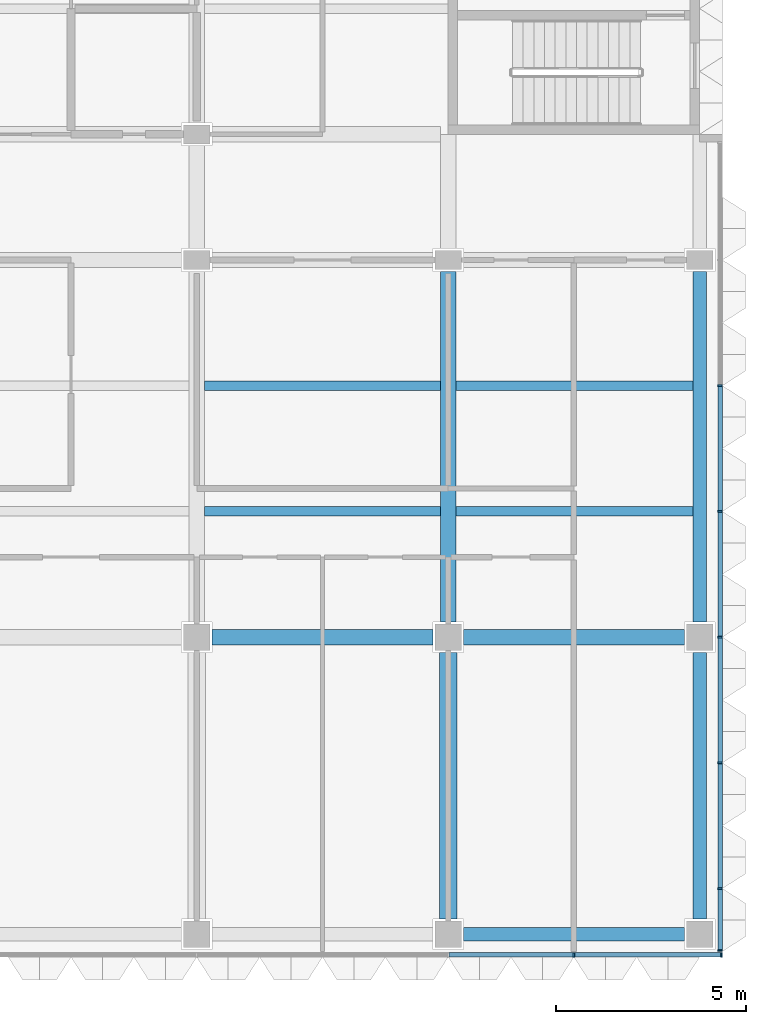
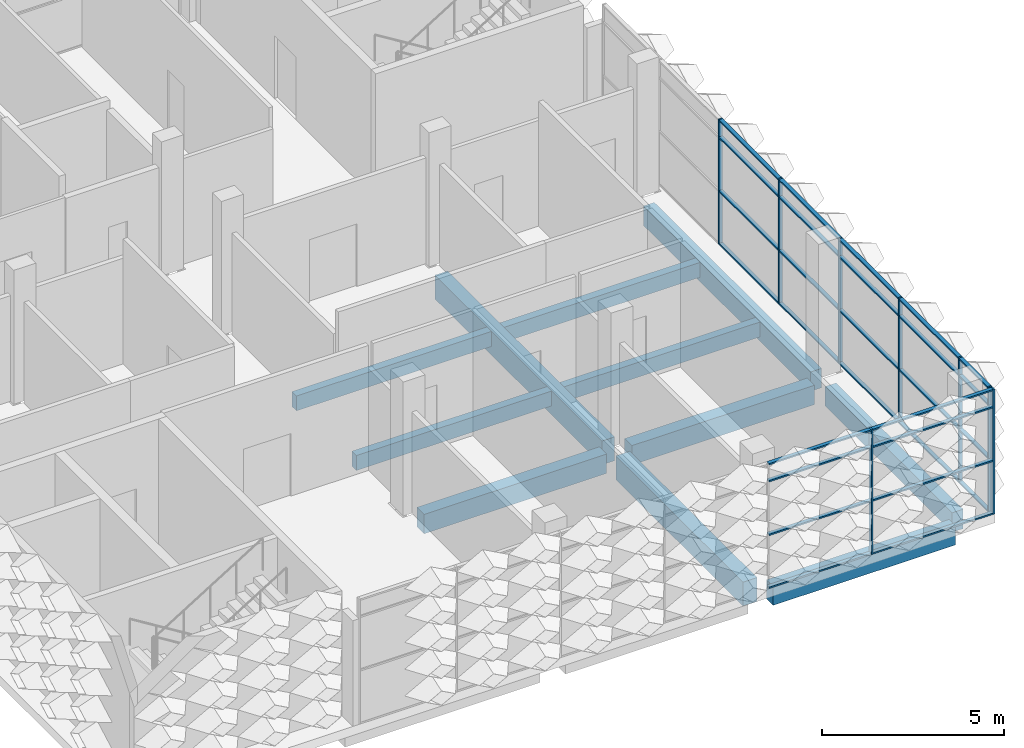
# One storey, part 3 of 29: 36 members, 11 beams, 2 elements without a shape of their own.
"""IFC4 building model written with IfcOpenShell, lengths in metres."""

from ifc_helpers import new_model, si_unit, direction, frame, origin, origin_2d, place, context, subcontext, project, spatial, rectangle, extrude, material, material_profile, profile_set, type_object, element, aggregate, save


model = new_model("IFC4")

# Units and contexts
model_context = context("Model", 3, precision=1e-05, world=origin(), true_north=direction((0.0, 1.0)))
body_context = subcontext(model_context, "Body", "Model", "MODEL_VIEW")
ifc_project = project(units=[si_unit("LENGTHUNIT", "METRE"), si_unit("AREAUNIT", "SQUARE_METRE"), si_unit("VOLUMEUNIT", "CUBIC_METRE"), si_unit("PLANEANGLEUNIT", "RADIAN"), si_unit("MASSUNIT", "GRAM", prefix="KILO")], contexts=[model_context])

# Site, building, storey
site_placement = place(None, origin())
site = spatial("IfcSite", under=ifc_project, at=site_placement, CompositionType="ELEMENT")
building_placement = place(site_placement, origin())
building = spatial("IfcBuilding", under=site, at=building_placement, Name="Lantern Court Research Institute", CompositionType="ELEMENT")
storey_placement = place(building_placement, frame((0.0, 0.0, 32.39990234375)))
storey = spatial("IfcBuildingStorey", under=building, at=storey_placement, Name="L07", CompositionType="ELEMENT", Elevation=32.39990234375)

# Curtain wall, members
ifc_material_1 = material(Name="Aluminium alloy 6063-T6", Category="aluminium")
curtain_wall_type_1 = type_object("IfcCurtainWallType", Name="Curtain wall 21250 x 4200 x 120 aluminium frame", PredefinedType="NOTDEFINED", material=ifc_material_1)
curtain_wall_1_placement = place(storey_placement, origin())
curtain_wall_1 = element("IfcCurtainWall", 1, at=curtain_wall_1_placement, inside=storey, type_object=curtain_wall_type_1, Name="Curtain wall CW081", PredefinedType="NOTDEFINED")
ifc_material_2 = material(Name="Aluminium alloy 6063-T6", Category="aluminium")
ifc_material_profile_1 = material_profile(ifc_material_2, rectangle(XDim=0.1201171875, YDim=0.050048828125, at=origin_2d()), Name="Mullion 120 x 50")
ifc_profile_set_1 = profile_set([ifc_material_profile_1], Name="Aluminium alloy 6063-T6")
member_type_1 = type_object("IfcMemberType", Name="Mullion 120 x 50 aluminium", PredefinedType="MULLION", material=ifc_profile_set_1)
member_1_placement = place(storey_placement, frame((79.739990234375, -8.22509765625, 0.0), z_axis=(0.0, 0.0, 1.0), x_axis=(1.0, 0.0, 0.0)))
member_1 = element("IfcMember", 2, at=member_1_placement, type_object=member_type_1, Name="CW081 mullion 1", PredefinedType="MULLION", context=body_context, shape_type="SweptSolid", body=[
    extrude(rectangle(XDim=0.1201171875, YDim=0.050048828125, at=origin_2d()), origin(), (0.0, 0.0, 1.0), 4.2001953125),
])
member_2_placement = place(storey_placement, frame((79.739990234375, -6.60009765625, 0.0), z_axis=(0.0, 0.0, 1.0), x_axis=(1.0, 0.0, 0.0)))
member_2 = element("IfcMember", 3, at=member_2_placement, type_object=member_type_1, Name="CW081 mullion 2", PredefinedType="MULLION", context=body_context, shape_type="SweptSolid", body=[
    extrude(rectangle(XDim=0.1201171875, YDim=0.050048828125, at=origin_2d()), origin(), (0.0, 0.0, 1.0), 4.2001953125),
])
member_3_placement = place(storey_placement, frame((79.739990234375, -3.300048828125, 0.0), z_axis=(0.0, 0.0, 1.0), x_axis=(1.0, 0.0, 0.0)))
member_3 = element("IfcMember", 4, at=member_3_placement, type_object=member_type_1, Name="CW081 mullion 3", PredefinedType="MULLION", context=body_context, shape_type="SweptSolid", body=[
    extrude(rectangle(XDim=0.1201171875, YDim=0.050048828125, at=origin_2d()), origin(), (0.0, 0.0, 1.0), 4.2001953125),
])
member_4_placement = place(storey_placement, frame((79.739990234375, 0.0, 0.0), z_axis=(0.0, 0.0, 1.0), x_axis=(1.0, 0.0, 0.0)))
member_4 = element("IfcMember", 5, at=member_4_placement, type_object=member_type_1, Name="CW081 mullion 4", PredefinedType="MULLION", context=body_context, shape_type="SweptSolid", body=[
    extrude(rectangle(XDim=0.1201171875, YDim=0.050048828125, at=origin_2d()), origin(), (0.0, 0.0, 1.0), 4.2001953125),
])
member_5_placement = place(storey_placement, frame((79.739990234375, 3.300048828125, 0.0), z_axis=(0.0, 0.0, 1.0), x_axis=(1.0, 0.0, 0.0)))
member_5 = element("IfcMember", 6, at=member_5_placement, type_object=member_type_1, Name="CW081 mullion 5", PredefinedType="MULLION", context=body_context, shape_type="SweptSolid", body=[
    extrude(rectangle(XDim=0.1201171875, YDim=0.050048828125, at=origin_2d()), origin(), (0.0, 0.0, 1.0), 4.2001953125),
])
member_6_placement = place(storey_placement, frame((79.739990234375, 6.60009765625, 0.0), z_axis=(0.0, 0.0, 1.0), x_axis=(1.0, 0.0, 0.0)))
member_6 = element("IfcMember", 7, at=member_6_placement, type_object=member_type_1, Name="CW081 mullion 6", PredefinedType="MULLION", context=body_context, shape_type="SweptSolid", body=[
    extrude(rectangle(XDim=0.1201171875, YDim=0.050048828125, at=origin_2d()), origin(), (0.0, 0.0, 1.0), 4.2001953125),
])

ifc_material_3 = material(Name="Aluminium alloy 6063-T6", Category="aluminium")
curtain_wall_type_2 = type_object("IfcCurtainWallType", Name="Curtain wall 20200 x 4200 x 120 aluminium frame", PredefinedType="NOTDEFINED", material=ifc_material_3)
curtain_wall_2_placement = place(storey_placement, origin())
curtain_wall_2 = element("IfcCurtainWall", 8, at=curtain_wall_2_placement, inside=storey, type_object=curtain_wall_type_2, Name="Curtain wall CW083", PredefinedType="NOTDEFINED")
member_7_placement = place(storey_placement, frame((75.89990234375, -8.340087890625, 0.0), z_axis=(0.0, 0.0, 1.0), x_axis=(0.0, -1.0, 0.0)))
member_7 = element("IfcMember", 9, at=member_7_placement, type_object=member_type_1, Name="CW083 mullion 6", PredefinedType="MULLION", context=body_context, shape_type="SweptSolid", body=[
    extrude(rectangle(XDim=0.1201171875, YDim=0.050048828125, at=origin_2d()), origin(), (0.0, 0.0, 1.0), 4.2001953125),
])
member_8_placement = place(storey_placement, frame((79.77490234375, -8.340087890625, 0.0), z_axis=(0.0, 0.0, 1.0), x_axis=(0.0, -1.0, 0.0)))
member_8 = element("IfcMember", 10, at=member_8_placement, type_object=member_type_1, Name="CW083 mullion 7", PredefinedType="MULLION", context=body_context, shape_type="SweptSolid", body=[
    extrude(rectangle(XDim=0.1201171875, YDim=0.050048828125, at=origin_2d()), origin(), (0.0, 0.0, 1.0), 4.2001953125),
])

# Beams
ifc_material_4 = material(Name="Concrete C40/50", Category="concrete")
ifc_material_profile_2 = material_profile(ifc_material_4, rectangle(XDim=0.39990234375, YDim=0.64990234375, at=origin_2d()), Name="RC beam 400 x 650")
ifc_profile_set_2 = profile_set([ifc_material_profile_2], Name="Concrete C40/50")
beam_type_1 = type_object("IfcBeamType", Name="RC beam 400 x 650", PredefinedType="BEAM", material=ifc_profile_set_2)
for number, where, z_axis, x_axis, name in (
    (11, (66.39990234375, 0.0, -0.625), (1.0, 0.0, 0.0), (0.0, 1.0, 0.0), "Beam L07 grid A/11-12"),
    (12, (73.0, 0.0, -0.625), (1.0, 0.0, 0.0), (0.0, 1.0, 0.0), "Beam L07 grid A/12-13"),
):
    element("IfcBeam", number, at=place(storey_placement, frame(where, z_axis=z_axis, x_axis=x_axis)), inside=storey, type_object=beam_type_1, Name=name, PredefinedType="BEAM", context=body_context, shape_type="SweptSolid", body=[
        extrude(rectangle(XDim=0.39990234375, YDim=0.64990234375, at=origin_2d()), origin(), (0.0, 0.0, 1.0), 5.800048828125),
    ])
ifc_material_5 = material(Name="Concrete C40/50", Category="concrete")
ifc_material_profile_3 = material_profile(ifc_material_5, rectangle(XDim=0.35009765625, YDim=0.64990234375, at=origin_2d()), Name="RC beam 350 x 650")
ifc_profile_set_3 = profile_set([ifc_material_profile_3], Name="Concrete C40/50")
beam_type_2 = type_object("IfcBeamType", Name="RC edge beam 350 x 650", PredefinedType="BEAM", material=ifc_profile_set_3)
beam_1_placement = place(storey_placement, frame((79.199951171875, -7.39990234375, -0.625), z_axis=(0.0, 1.0, 0.0), x_axis=(-1.0, 0.0, 0.0)))
element("IfcBeam", 13, at=beam_1_placement, inside=storey, type_object=beam_type_2, Name="Edge beam L07 grid 13/Z-A", PredefinedType="BEAM", context=body_context, shape_type="SweptSolid", body=[
    extrude(rectangle(XDim=0.35009765625, YDim=0.64990234375, at=origin_2d()), origin(), (0.0, 0.0, 1.0), 7.0),
])
beam_2_placement = place(storey_placement, frame((79.199951171875, 0.39990234375, -0.625), z_axis=(0.0, 1.0, 0.0), x_axis=(-1.0, 0.0, 0.0)))
element("IfcBeam", 14, at=beam_2_placement, inside=storey, type_object=beam_type_2, Name="Edge beam L07 grid 13/A-B", PredefinedType="BEAM", context=body_context, shape_type="SweptSolid", body=[
    extrude(rectangle(XDim=0.35009765625, YDim=0.64990234375, at=origin_2d()), origin(), (0.0, 0.0, 1.0), 9.2001953125),
])
beam_3_placement = place(storey_placement, frame((73.0, -7.800048828125, -0.625), z_axis=(1.0, 0.0, 0.0), x_axis=(0.0, 1.0, 0.0)))
element("IfcBeam", 15, at=beam_3_placement, inside=storey, type_object=beam_type_2, Name="Edge beam L07 grid Z/12-13", PredefinedType="BEAM", context=body_context, shape_type="SweptSolid", body=[
    extrude(rectangle(XDim=0.35009765625, YDim=0.64990234375, at=origin_2d()), origin(), (0.0, 0.0, 1.0), 5.800048828125),
])
ifc_material_6 = material(Name="Concrete C40/50", Category="concrete")
ifc_material_profile_4 = material_profile(ifc_material_6, rectangle(XDim=0.39990234375, YDim=0.800048828125, at=origin_2d()), Name="RC beam 400 x 800")
ifc_profile_set_4 = profile_set([ifc_material_profile_4], Name="Concrete C40/50")
beam_type_3 = type_object("IfcBeamType", Name="RC girder 400 x 800", PredefinedType="BEAM", material=ifc_profile_set_4)
beam_4_placement = place(storey_placement, frame((72.60009765625, 0.39990234375, -0.699951171875), z_axis=(0.0, 1.0, 0.0), x_axis=(-1.0, 0.0, 0.0)))
element("IfcBeam", 16, at=beam_4_placement, inside=storey, type_object=beam_type_3, Name="Girder L07 grid 12/A-B", PredefinedType="BEAM", context=body_context, shape_type="SweptSolid", body=[
    extrude(rectangle(XDim=0.39990234375, YDim=0.800048828125, at=origin_2d()), origin(), (0.0, 0.0, 1.0), 9.2001953125),
])
ifc_material_7 = material(Name="Concrete C40/50", Category="concrete")
ifc_material_profile_5 = material_profile(ifc_material_7, rectangle(XDim=0.449951171875, YDim=0.800048828125, at=origin_2d()), Name="RC beam 450 x 800")
ifc_profile_set_5 = profile_set([ifc_material_profile_5], Name="Concrete C40/50")
beam_type_4 = type_object("IfcBeamType", Name="RC girder 450 x 800", PredefinedType="BEAM", material=ifc_profile_set_5)
beam_5_placement = place(storey_placement, frame((72.60009765625, -7.39990234375, -0.699951171875), z_axis=(0.0, 1.0, 0.0), x_axis=(-1.0, 0.0, 0.0)))
element("IfcBeam", 17, at=beam_5_placement, inside=storey, type_object=beam_type_4, Name="Girder L07 grid 12/Z-A", PredefinedType="BEAM", context=body_context, shape_type="SweptSolid", body=[
    extrude(rectangle(XDim=0.449951171875, YDim=0.800048828125, at=origin_2d()), origin(), (0.0, 0.0, 1.0), 7.0),
])
ifc_material_8 = material(Name="Concrete C40/50", Category="concrete")
ifc_material_profile_6 = material_profile(ifc_material_8, rectangle(XDim=0.25, YDim=0.5, at=origin_2d()), Name="RC beam 250 x 500")
ifc_profile_set_6 = profile_set([ifc_material_profile_6], Name="Concrete C40/50")
beam_type_5 = type_object("IfcBeamType", Name="RC secondary beam 250 x 500", PredefinedType="BEAM", material=ifc_profile_set_6)
beam_6_placement = place(storey_placement, frame((66.199951171875, 3.300048828125, -0.5498046875), z_axis=(1.0, 0.0, 0.0), x_axis=(0.0, 1.0, 0.0)))
element("IfcBeam", 18, at=beam_6_placement, inside=storey, type_object=beam_type_5, Name="Secondary beam L07 grids 11-12 / A-B, line 1", PredefinedType="BEAM", context=body_context, shape_type="SweptSolid", body=[
    extrude(rectangle(XDim=0.25, YDim=0.5, at=origin_2d()), origin(), (0.0, 0.0, 1.0), 6.199951171875),
])
beam_7_placement = place(storey_placement, frame((72.800048828125, 3.300048828125, -0.5498046875), z_axis=(1.0, 0.0, 0.0), x_axis=(0.0, 1.0, 0.0)))
element("IfcBeam", 19, at=beam_7_placement, inside=storey, type_object=beam_type_5, Name="Secondary beam L07 grids 12-13 / A-B, line 1", PredefinedType="BEAM", context=body_context, shape_type="SweptSolid", body=[
    extrude(rectangle(XDim=0.25, YDim=0.5, at=origin_2d()), origin(), (0.0, 0.0, 1.0), 6.224853515625),
])
beam_8_placement = place(storey_placement, frame((66.199951171875, 6.60009765625, -0.5498046875), z_axis=(1.0, 0.0, 0.0), x_axis=(0.0, 1.0, 0.0)))
element("IfcBeam", 20, at=beam_8_placement, inside=storey, type_object=beam_type_5, Name="Secondary beam L07 grids 11-12 / A-B, line 2", PredefinedType="BEAM", context=body_context, shape_type="SweptSolid", body=[
    extrude(rectangle(XDim=0.25, YDim=0.5, at=origin_2d()), origin(), (0.0, 0.0, 1.0), 6.199951171875),
])
beam_9_placement = place(storey_placement, frame((72.800048828125, 6.60009765625, -0.5498046875), z_axis=(1.0, 0.0, 0.0), x_axis=(0.0, 1.0, 0.0)))
element("IfcBeam", 21, at=beam_9_placement, inside=storey, type_object=beam_type_5, Name="Secondary beam L07 grids 12-13 / A-B, line 2", PredefinedType="BEAM", context=body_context, shape_type="SweptSolid", body=[
    extrude(rectangle(XDim=0.25, YDim=0.5, at=origin_2d()), origin(), (0.0, 0.0, 1.0), 6.224853515625),
])

# Member
ifc_material_9 = material(Name="Aluminium alloy 6063-T6", Category="aluminium")
ifc_material_profile_7 = material_profile(ifc_material_9, rectangle(XDim=0.1201171875, YDim=0.050048828125, at=origin_2d()), Name="Transom 120 x 50")
ifc_profile_set_7 = profile_set([ifc_material_profile_7], Name="Aluminium alloy 6063-T6")
member_type_2 = type_object("IfcMemberType", Name="Transom 120 x 50 aluminium", PredefinedType="USERDEFINED", material=ifc_profile_set_7)
member_9_placement = place(storey_placement, frame((79.739990234375, -6.625, 0.025146484375), z_axis=(0.0, -1.0, 0.0), x_axis=(1.0, 0.0, 0.0)))
member_9 = element("IfcMember", 22, at=member_9_placement, type_object=member_type_2, Name="CW081 transom 1.1", ObjectType="TRANSOM", PredefinedType="USERDEFINED", context=body_context, shape_type="SweptSolid", body=[
    extrude(rectangle(XDim=0.1201171875, YDim=0.050048828125, at=origin_2d()), origin(), (0.0, 0.0, 1.0), 1.574951171875),
])

member_10_placement = place(storey_placement, frame((79.739990234375, -6.625, 1.800048828125), z_axis=(0.0, -1.0, 0.0), x_axis=(1.0, 0.0, 0.0)))
member_10 = element("IfcMember", 23, at=member_10_placement, type_object=member_type_2, Name="CW081 transom 1.2", ObjectType="TRANSOM", PredefinedType="USERDEFINED", context=body_context, shape_type="SweptSolid", body=[
    extrude(rectangle(XDim=0.1201171875, YDim=0.050048828125, at=origin_2d()), origin(), (0.0, 0.0, 1.0), 1.574951171875),
])

member_11_placement = place(storey_placement, frame((79.739990234375, -6.625, 3.60009765625), z_axis=(0.0, -1.0, 0.0), x_axis=(1.0, 0.0, 0.0)))
member_11 = element("IfcMember", 24, at=member_11_placement, type_object=member_type_2, Name="CW081 transom 1.3", ObjectType="TRANSOM", PredefinedType="USERDEFINED", context=body_context, shape_type="SweptSolid", body=[
    extrude(rectangle(XDim=0.1201171875, YDim=0.050048828125, at=origin_2d()), origin(), (0.0, 0.0, 1.0), 1.574951171875),
])

member_12_placement = place(storey_placement, frame((79.739990234375, -6.625, 4.175048828125), z_axis=(0.0, -1.0, 0.0), x_axis=(1.0, 0.0, 0.0)))
member_12 = element("IfcMember", 25, at=member_12_placement, type_object=member_type_2, Name="CW081 transom 1.4", ObjectType="TRANSOM", PredefinedType="USERDEFINED", context=body_context, shape_type="SweptSolid", body=[
    extrude(rectangle(XDim=0.1201171875, YDim=0.050048828125, at=origin_2d()), origin(), (0.0, 0.0, 1.0), 1.574951171875),
])

member_13_placement = place(storey_placement, frame((79.739990234375, -3.324951171875, 0.025146484375), z_axis=(0.0, -1.0, 0.0), x_axis=(1.0, 0.0, 0.0)))
member_13 = element("IfcMember", 26, at=member_13_placement, type_object=member_type_2, Name="CW081 transom 2.1", ObjectType="TRANSOM", PredefinedType="USERDEFINED", context=body_context, shape_type="SweptSolid", body=[
    extrude(rectangle(XDim=0.1201171875, YDim=0.050048828125, at=origin_2d()), origin(), (0.0, 0.0, 1.0), 3.25),
])

member_14_placement = place(storey_placement, frame((79.739990234375, -3.324951171875, 1.800048828125), z_axis=(0.0, -1.0, 0.0), x_axis=(1.0, 0.0, 0.0)))
member_14 = element("IfcMember", 27, at=member_14_placement, type_object=member_type_2, Name="CW081 transom 2.2", ObjectType="TRANSOM", PredefinedType="USERDEFINED", context=body_context, shape_type="SweptSolid", body=[
    extrude(rectangle(XDim=0.1201171875, YDim=0.050048828125, at=origin_2d()), origin(), (0.0, 0.0, 1.0), 3.25),
])

member_15_placement = place(storey_placement, frame((79.739990234375, -3.324951171875, 3.60009765625), z_axis=(0.0, -1.0, 0.0), x_axis=(1.0, 0.0, 0.0)))
member_15 = element("IfcMember", 28, at=member_15_placement, type_object=member_type_2, Name="CW081 transom 2.3", ObjectType="TRANSOM", PredefinedType="USERDEFINED", context=body_context, shape_type="SweptSolid", body=[
    extrude(rectangle(XDim=0.1201171875, YDim=0.050048828125, at=origin_2d()), origin(), (0.0, 0.0, 1.0), 3.25),
])

member_16_placement = place(storey_placement, frame((79.739990234375, -3.324951171875, 4.175048828125), z_axis=(0.0, -1.0, 0.0), x_axis=(1.0, 0.0, 0.0)))
member_16 = element("IfcMember", 29, at=member_16_placement, type_object=member_type_2, Name="CW081 transom 2.4", ObjectType="TRANSOM", PredefinedType="USERDEFINED", context=body_context, shape_type="SweptSolid", body=[
    extrude(rectangle(XDim=0.1201171875, YDim=0.050048828125, at=origin_2d()), origin(), (0.0, 0.0, 1.0), 3.25),
])

member_17_placement = place(storey_placement, frame((79.739990234375, -0.02490234375, 0.025146484375), z_axis=(0.0, -1.0, 0.0), x_axis=(1.0, 0.0, 0.0)))
member_17 = element("IfcMember", 30, at=member_17_placement, type_object=member_type_2, Name="CW081 transom 3.1", ObjectType="TRANSOM", PredefinedType="USERDEFINED", context=body_context, shape_type="SweptSolid", body=[
    extrude(rectangle(XDim=0.1201171875, YDim=0.050048828125, at=origin_2d()), origin(), (0.0, 0.0, 1.0), 3.25),
])

member_18_placement = place(storey_placement, frame((79.739990234375, -0.02490234375, 1.800048828125), z_axis=(0.0, -1.0, 0.0), x_axis=(1.0, 0.0, 0.0)))
member_18 = element("IfcMember", 31, at=member_18_placement, type_object=member_type_2, Name="CW081 transom 3.2", ObjectType="TRANSOM", PredefinedType="USERDEFINED", context=body_context, shape_type="SweptSolid", body=[
    extrude(rectangle(XDim=0.1201171875, YDim=0.050048828125, at=origin_2d()), origin(), (0.0, 0.0, 1.0), 3.25),
])

member_19_placement = place(storey_placement, frame((79.739990234375, -0.02490234375, 3.60009765625), z_axis=(0.0, -1.0, 0.0), x_axis=(1.0, 0.0, 0.0)))
member_19 = element("IfcMember", 32, at=member_19_placement, type_object=member_type_2, Name="CW081 transom 3.3", ObjectType="TRANSOM", PredefinedType="USERDEFINED", context=body_context, shape_type="SweptSolid", body=[
    extrude(rectangle(XDim=0.1201171875, YDim=0.050048828125, at=origin_2d()), origin(), (0.0, 0.0, 1.0), 3.25),
])

member_20_placement = place(storey_placement, frame((79.739990234375, -0.02490234375, 4.175048828125), z_axis=(0.0, -1.0, 0.0), x_axis=(1.0, 0.0, 0.0)))
member_20 = element("IfcMember", 33, at=member_20_placement, type_object=member_type_2, Name="CW081 transom 3.4", ObjectType="TRANSOM", PredefinedType="USERDEFINED", context=body_context, shape_type="SweptSolid", body=[
    extrude(rectangle(XDim=0.1201171875, YDim=0.050048828125, at=origin_2d()), origin(), (0.0, 0.0, 1.0), 3.25),
])

member_21_placement = place(storey_placement, frame((79.739990234375, 3.27490234375, 0.025146484375), z_axis=(0.0, -1.0, 0.0), x_axis=(1.0, 0.0, 0.0)))
member_21 = element("IfcMember", 34, at=member_21_placement, type_object=member_type_2, Name="CW081 transom 4.1", ObjectType="TRANSOM", PredefinedType="USERDEFINED", context=body_context, shape_type="SweptSolid", body=[
    extrude(rectangle(XDim=0.1201171875, YDim=0.050048828125, at=origin_2d()), origin(), (0.0, 0.0, 1.0), 3.25),
])

member_22_placement = place(storey_placement, frame((79.739990234375, 3.27490234375, 1.800048828125), z_axis=(0.0, -1.0, 0.0), x_axis=(1.0, 0.0, 0.0)))
member_22 = element("IfcMember", 35, at=member_22_placement, type_object=member_type_2, Name="CW081 transom 4.2", ObjectType="TRANSOM", PredefinedType="USERDEFINED", context=body_context, shape_type="SweptSolid", body=[
    extrude(rectangle(XDim=0.1201171875, YDim=0.050048828125, at=origin_2d()), origin(), (0.0, 0.0, 1.0), 3.25),
])

member_23_placement = place(storey_placement, frame((79.739990234375, 3.27490234375, 3.60009765625), z_axis=(0.0, -1.0, 0.0), x_axis=(1.0, 0.0, 0.0)))
member_23 = element("IfcMember", 36, at=member_23_placement, type_object=member_type_2, Name="CW081 transom 4.3", ObjectType="TRANSOM", PredefinedType="USERDEFINED", context=body_context, shape_type="SweptSolid", body=[
    extrude(rectangle(XDim=0.1201171875, YDim=0.050048828125, at=origin_2d()), origin(), (0.0, 0.0, 1.0), 3.25),
])

member_24_placement = place(storey_placement, frame((79.739990234375, 3.27490234375, 4.175048828125), z_axis=(0.0, -1.0, 0.0), x_axis=(1.0, 0.0, 0.0)))
member_24 = element("IfcMember", 37, at=member_24_placement, type_object=member_type_2, Name="CW081 transom 4.4", ObjectType="TRANSOM", PredefinedType="USERDEFINED", context=body_context, shape_type="SweptSolid", body=[
    extrude(rectangle(XDim=0.1201171875, YDim=0.050048828125, at=origin_2d()), origin(), (0.0, 0.0, 1.0), 3.25),
])

member_25_placement = place(storey_placement, frame((79.739990234375, 6.574951171875, 0.025146484375), z_axis=(0.0, -1.0, 0.0), x_axis=(1.0, 0.0, 0.0)))
member_25 = element("IfcMember", 38, at=member_25_placement, type_object=member_type_2, Name="CW081 transom 5.1", ObjectType="TRANSOM", PredefinedType="USERDEFINED", context=body_context, shape_type="SweptSolid", body=[
    extrude(rectangle(XDim=0.1201171875, YDim=0.050048828125, at=origin_2d()), origin(), (0.0, 0.0, 1.0), 3.25),
])

member_26_placement = place(storey_placement, frame((79.739990234375, 6.574951171875, 1.800048828125), z_axis=(0.0, -1.0, 0.0), x_axis=(1.0, 0.0, 0.0)))
member_26 = element("IfcMember", 39, at=member_26_placement, type_object=member_type_2, Name="CW081 transom 5.2", ObjectType="TRANSOM", PredefinedType="USERDEFINED", context=body_context, shape_type="SweptSolid", body=[
    extrude(rectangle(XDim=0.1201171875, YDim=0.050048828125, at=origin_2d()), origin(), (0.0, 0.0, 1.0), 3.25),
])

member_27_placement = place(storey_placement, frame((79.739990234375, 6.574951171875, 3.60009765625), z_axis=(0.0, -1.0, 0.0), x_axis=(1.0, 0.0, 0.0)))
member_27 = element("IfcMember", 40, at=member_27_placement, type_object=member_type_2, Name="CW081 transom 5.3", ObjectType="TRANSOM", PredefinedType="USERDEFINED", context=body_context, shape_type="SweptSolid", body=[
    extrude(rectangle(XDim=0.1201171875, YDim=0.050048828125, at=origin_2d()), origin(), (0.0, 0.0, 1.0), 3.25),
])

member_28_placement = place(storey_placement, frame((79.739990234375, 6.574951171875, 4.175048828125), z_axis=(0.0, -1.0, 0.0), x_axis=(1.0, 0.0, 0.0)))
member_28 = element("IfcMember", 41, at=member_28_placement, type_object=member_type_2, Name="CW081 transom 5.4", ObjectType="TRANSOM", PredefinedType="USERDEFINED", context=body_context, shape_type="SweptSolid", body=[
    extrude(rectangle(XDim=0.1201171875, YDim=0.050048828125, at=origin_2d()), origin(), (0.0, 0.0, 1.0), 3.25),
])

aggregate(curtain_wall_1, [member_1, member_2, member_3, member_4, member_5, member_6, member_9, member_10, member_11, member_12, member_13, member_14, member_15, member_16, member_17, member_18, member_19, member_20, member_21, member_22, member_23, member_24, member_25, member_26, member_27, member_28])

member_29_placement = place(storey_placement, frame((75.875, -8.340087890625, 0.025146484375), z_axis=(-1.0, 0.0, 0.0), x_axis=(0.0, -1.0, 0.0)))
member_29 = element("IfcMember", 42, at=member_29_placement, type_object=member_type_2, Name="CW083 transom 5.1", ObjectType="TRANSOM", PredefinedType="USERDEFINED", context=body_context, shape_type="SweptSolid", body=[
    extrude(rectangle(XDim=0.1201171875, YDim=0.050048828125, at=origin_2d()), origin(), (0.0, 0.0, 1.0), 3.25),
])

member_30_placement = place(storey_placement, frame((75.875, -8.340087890625, 1.800048828125), z_axis=(-1.0, 0.0, 0.0), x_axis=(0.0, -1.0, 0.0)))
member_30 = element("IfcMember", 43, at=member_30_placement, type_object=member_type_2, Name="CW083 transom 5.2", ObjectType="TRANSOM", PredefinedType="USERDEFINED", context=body_context, shape_type="SweptSolid", body=[
    extrude(rectangle(XDim=0.1201171875, YDim=0.050048828125, at=origin_2d()), origin(), (0.0, 0.0, 1.0), 3.25),
])

member_31_placement = place(storey_placement, frame((75.875, -8.340087890625, 3.60009765625), z_axis=(-1.0, 0.0, 0.0), x_axis=(0.0, -1.0, 0.0)))
member_31 = element("IfcMember", 44, at=member_31_placement, type_object=member_type_2, Name="CW083 transom 5.3", ObjectType="TRANSOM", PredefinedType="USERDEFINED", context=body_context, shape_type="SweptSolid", body=[
    extrude(rectangle(XDim=0.1201171875, YDim=0.050048828125, at=origin_2d()), origin(), (0.0, 0.0, 1.0), 3.25),
])

member_32_placement = place(storey_placement, frame((75.875, -8.340087890625, 4.175048828125), z_axis=(-1.0, 0.0, 0.0), x_axis=(0.0, -1.0, 0.0)))
member_32 = element("IfcMember", 45, at=member_32_placement, type_object=member_type_2, Name="CW083 transom 5.4", ObjectType="TRANSOM", PredefinedType="USERDEFINED", context=body_context, shape_type="SweptSolid", body=[
    extrude(rectangle(XDim=0.1201171875, YDim=0.050048828125, at=origin_2d()), origin(), (0.0, 0.0, 1.0), 3.25),
])

member_33_placement = place(storey_placement, frame((79.75, -8.340087890625, 0.025146484375), z_axis=(-1.0, 0.0, 0.0), x_axis=(0.0, -1.0, 0.0)))
member_33 = element("IfcMember", 46, at=member_33_placement, type_object=member_type_2, Name="CW083 transom 6.1", ObjectType="TRANSOM", PredefinedType="USERDEFINED", context=body_context, shape_type="SweptSolid", body=[
    extrude(rectangle(XDim=0.1201171875, YDim=0.050048828125, at=origin_2d()), origin(), (0.0, 0.0, 1.0), 3.824951171875),
])

member_34_placement = place(storey_placement, frame((79.75, -8.340087890625, 1.800048828125), z_axis=(-1.0, 0.0, 0.0), x_axis=(0.0, -1.0, 0.0)))
member_34 = element("IfcMember", 47, at=member_34_placement, type_object=member_type_2, Name="CW083 transom 6.2", ObjectType="TRANSOM", PredefinedType="USERDEFINED", context=body_context, shape_type="SweptSolid", body=[
    extrude(rectangle(XDim=0.1201171875, YDim=0.050048828125, at=origin_2d()), origin(), (0.0, 0.0, 1.0), 3.824951171875),
])

member_35_placement = place(storey_placement, frame((79.75, -8.340087890625, 3.60009765625), z_axis=(-1.0, 0.0, 0.0), x_axis=(0.0, -1.0, 0.0)))
member_35 = element("IfcMember", 48, at=member_35_placement, type_object=member_type_2, Name="CW083 transom 6.3", ObjectType="TRANSOM", PredefinedType="USERDEFINED", context=body_context, shape_type="SweptSolid", body=[
    extrude(rectangle(XDim=0.1201171875, YDim=0.050048828125, at=origin_2d()), origin(), (0.0, 0.0, 1.0), 3.824951171875),
])

member_36_placement = place(storey_placement, frame((79.75, -8.340087890625, 4.175048828125), z_axis=(-1.0, 0.0, 0.0), x_axis=(0.0, -1.0, 0.0)))
member_36 = element("IfcMember", 49, at=member_36_placement, type_object=member_type_2, Name="CW083 transom 6.4", ObjectType="TRANSOM", PredefinedType="USERDEFINED", context=body_context, shape_type="SweptSolid", body=[
    extrude(rectangle(XDim=0.1201171875, YDim=0.050048828125, at=origin_2d()), origin(), (0.0, 0.0, 1.0), 3.824951171875),
])

aggregate(curtain_wall_2, [member_7, member_8, member_29, member_30, member_31, member_32, member_33, member_34, member_35, member_36])

save(model, "model.ifc")
